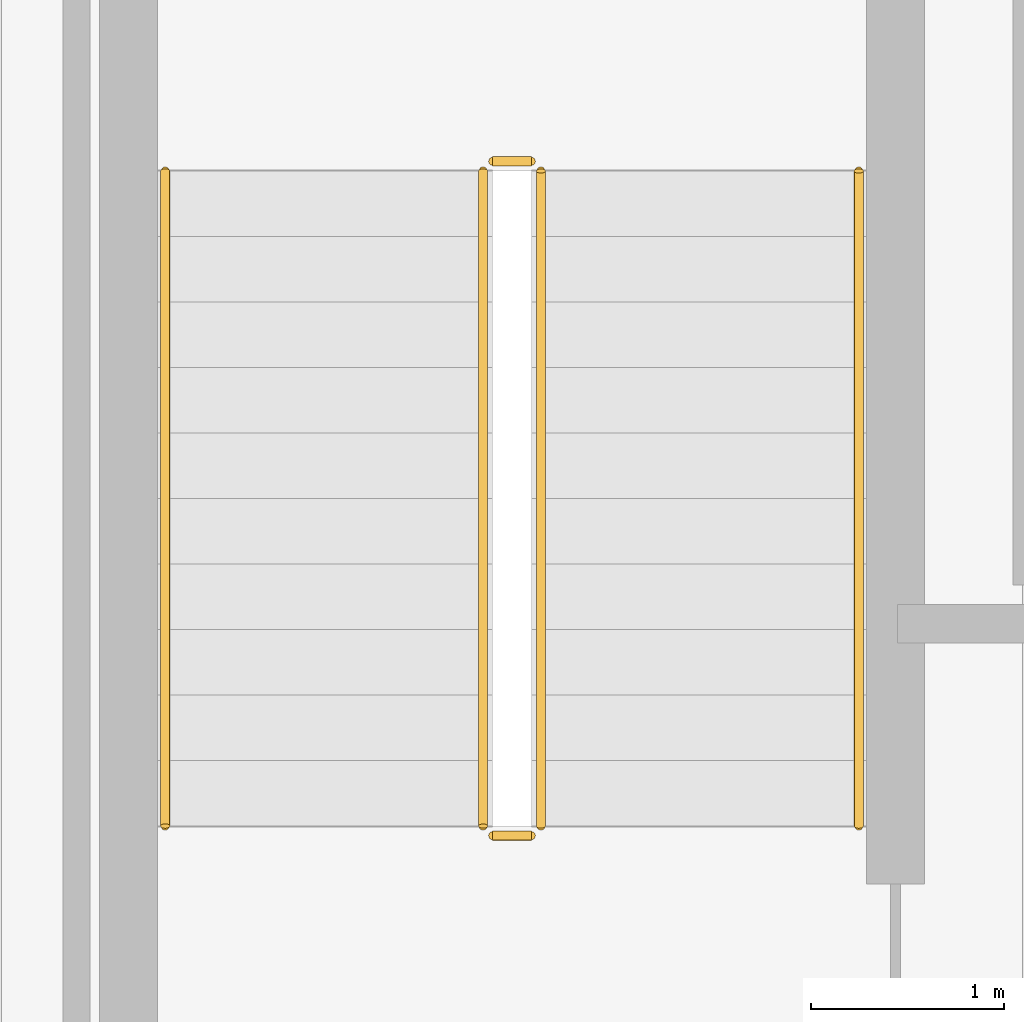
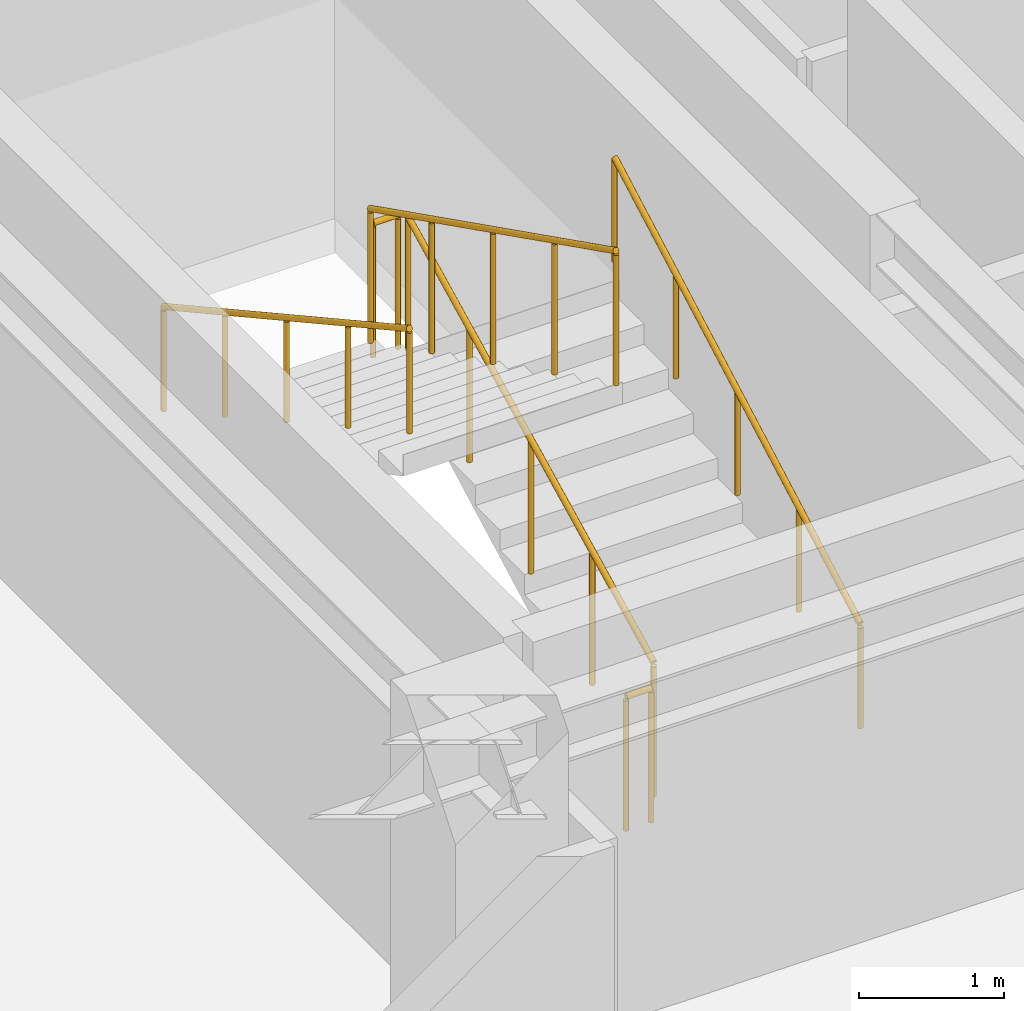
# One storey, part 30 of 31: 6 railings.
"""IFC4 building model written with IfcOpenShell, lengths in metres."""

from ifc_helpers import new_model, si_unit, direction, frame, origin, origin_2d, place, context, subcontext, project, spatial, circle, extrude, material, type_object, element, save


model = new_model("IFC4")

# Units and contexts
model_context = context("Model", 3, precision=1e-05, world=origin(), true_north=direction((0.0, 1.0)))
body_context = subcontext(model_context, "Body", "Model", "MODEL_VIEW")
ifc_project = project(units=[si_unit("LENGTHUNIT", "METRE"), si_unit("AREAUNIT", "SQUARE_METRE"), si_unit("VOLUMEUNIT", "CUBIC_METRE"), si_unit("PLANEANGLEUNIT", "RADIAN"), si_unit("MASSUNIT", "GRAM", prefix="KILO")], contexts=[model_context])

# Site, building, storey
site_placement = place(None, origin())
site = spatial("IfcSite", under=ifc_project, at=site_placement, CompositionType="ELEMENT")
building_placement = place(site_placement, origin())
building = spatial("IfcBuilding", under=site, at=building_placement, Name="Nahalor Promenade Grand Hotel", CompositionType="ELEMENT")
storey_placement = place(building_placement, frame((0.0, 0.0, 277.550048828125)))
storey = spatial("IfcBuildingStorey", under=building, at=storey_placement, Name="L71", CompositionType="ELEMENT", Elevation=277.550048828125)

# Railings
ifc_material = material(Name="Steel S355JR", Category="steel")
railing_type_1 = type_object("IfcRailingType", Name="Steel Stair Guardrail 1150 mm", PredefinedType="GUARDRAIL", material=ifc_material)
railing_1_placement = place(storey_placement, frame((5.75, 8.10009765625, 0.17041015625)))
element("IfcRailing", 1, at=railing_1_placement, inside=storey, type_object=railing_type_1, Name="L71 ST1 stair guard 1", PredefinedType="GUARDRAIL", context=body_context, shape_type="SweptSolid", body=[
    extrude(circle(Radius=0.024048, at=origin_2d()), frame((0.0, 0.0, 1.1259765625), z_axis=(0.0, 0.89393879905, 0.448189048899), x_axis=(-1.0, 0.0, 0.0)), (0.0, 0.0, 1.0), 3.80322265625),
    extrude(circle(Radius=0.020996, at=origin_2d()), origin(), (0.0, 0.0, 1.0), 1.099853515625),
    extrude(circle(Radius=0.020996, at=origin_2d()), frame((0.0, 0.85009765625, 0.42626953125)), (0.0, 0.0, 1.0), 1.099853515625),
    extrude(circle(Radius=0.020996, at=origin_2d()), frame((0.0, 1.699951171875, 0.852294921875)), (0.0, 0.0, 1.0), 1.099853515625),
    extrude(circle(Radius=0.020996, at=origin_2d()), frame((0.0, 2.5498046875, 1.2783203125)), (0.0, 0.0, 1.0), 1.099853515625),
    extrude(circle(Radius=0.020996, at=origin_2d()), frame((0.0, 3.39990234375, 1.70458984375)), (0.0, 0.0, 1.0), 1.099853515625),
])
railing_2_placement = place(storey_placement, frame((5.699951171875, 11.550048828125, 1.875)))
element("IfcRailing", 2, at=railing_2_placement, inside=storey, type_object=railing_type_1, Name="L71 ST1 stair guard 2", PredefinedType="GUARDRAIL", context=body_context, shape_type="SweptSolid", body=[
    extrude(circle(Radius=0.024048, at=origin_2d()), frame((0.0, 0.0, 1.1259765625), z_axis=(-1.0, 0.0, 0.0), x_axis=(0.0, -1.0, 0.0)), (0.0, 0.0, 1.0), 0.199951171875),
    extrude(circle(Radius=0.020996, at=origin_2d()), origin(), (0.0, 0.0, 1.0), 1.099853515625),
    extrude(circle(Radius=0.020996, at=origin_2d()), frame((-0.199951171875, 0.0, 0.0)), (0.0, 0.0, 1.0), 1.099853515625),
])
railing_3_placement = place(storey_placement, frame((5.449951171875, 11.5, 2.04541015625)))
element("IfcRailing", 3, at=railing_3_placement, inside=storey, type_object=railing_type_1, Name="L71 ST1 stair guard 3", PredefinedType="GUARDRAIL", context=body_context, shape_type="SweptSolid", body=[
    extrude(circle(Radius=0.024048, at=origin_2d()), frame((0.0, 0.0, 1.1259765625), z_axis=(0.0, -0.89393879905, 0.448189048899), x_axis=(1.0, 0.0, 0.0)), (0.0, 0.0, 1.0), 3.80322265625),
    extrude(circle(Radius=0.020996, at=origin_2d()), origin(), (0.0, 0.0, 1.0), 1.099853515625),
    extrude(circle(Radius=0.020996, at=origin_2d()), frame((0.0, -0.85009765625, 0.42626953125)), (0.0, 0.0, 1.0), 1.099853515625),
    extrude(circle(Radius=0.020996, at=origin_2d()), frame((0.0, -1.699951171875, 0.852294921875)), (0.0, 0.0, 1.0), 1.099853515625),
    extrude(circle(Radius=0.020996, at=origin_2d()), frame((0.0, -2.5498046875, 1.2783203125)), (0.0, 0.0, 1.0), 1.099853515625),
    extrude(circle(Radius=0.020996, at=origin_2d()), frame((0.0, -3.39990234375, 1.70458984375)), (0.0, 0.0, 1.0), 1.099853515625),
])
railing_4_placement = place(storey_placement, frame((5.699951171875, 8.050048828125, 0.0)))
element("IfcRailing", 4, at=railing_4_placement, inside=storey, type_object=railing_type_1, Name="L71 ST1 stair guard 4", PredefinedType="GUARDRAIL", context=body_context, shape_type="SweptSolid", body=[
    extrude(circle(Radius=0.024048, at=origin_2d()), frame((0.0, 0.0, 1.1259765625), z_axis=(-1.0, 0.0, 0.0), x_axis=(0.0, -1.0, 0.0)), (0.0, 0.0, 1.0), 0.199951171875),
    extrude(circle(Radius=0.020996, at=origin_2d()), origin(), (0.0, 0.0, 1.0), 1.099853515625),
    extrude(circle(Radius=0.020996, at=origin_2d()), frame((-0.199951171875, 0.0, 0.0)), (0.0, 0.0, 1.0), 1.099853515625),
])
railing_type_2 = type_object("IfcRailingType", Name="Steel Stair Handrail 900 mm", PredefinedType="HANDRAIL", material=ifc_material)
railing_5_placement = place(storey_placement, frame((7.39990234375, 8.10009765625, 0.17041015625)))
element("IfcRailing", 5, at=railing_5_placement, inside=storey, type_object=railing_type_2, Name="L71 ST1 stair handrail 1", PredefinedType="HANDRAIL", context=body_context, shape_type="SweptSolid", body=[
    extrude(circle(Radius=0.024048, at=origin_2d()), frame((0.0, 0.0, 0.8759765625), z_axis=(0.0, 0.875665712831, 0.482917756322), x_axis=(-1.0, 0.0, 0.0)), (0.0, 0.0, 1.0), 3.882568359375),
    extrude(circle(Radius=0.020996, at=origin_2d()), origin(), (0.0, 0.0, 1.0), 0.849853515625),
    extrude(circle(Radius=0.020996, at=origin_2d()), frame((0.0, 0.85009765625, 0.46875)), (0.0, 0.0, 1.0), 0.849853515625),
    extrude(circle(Radius=0.020996, at=origin_2d()), frame((0.0, 1.699951171875, 0.9375)), (0.0, 0.0, 1.0), 0.849853515625),
    extrude(circle(Radius=0.020996, at=origin_2d()), frame((0.0, 2.5498046875, 1.40625)), (0.0, 0.0, 1.0), 0.849853515625),
    extrude(circle(Radius=0.020996, at=origin_2d()), frame((0.0, 3.39990234375, 1.875)), (0.0, 0.0, 1.0), 0.849853515625),
])
railing_6_placement = place(storey_placement, frame((3.800048828125, 11.5, 2.04541015625)))
element("IfcRailing", 6, at=railing_6_placement, inside=storey, type_object=railing_type_2, Name="L71 ST1 stair handrail 2", PredefinedType="HANDRAIL", context=body_context, shape_type="SweptSolid", body=[
    extrude(circle(Radius=0.024048, at=origin_2d()), frame((0.0, 0.0, 0.8759765625), z_axis=(0.0, -0.875665712831, 0.482917756322), x_axis=(1.0, 0.0, 0.0)), (0.0, 0.0, 1.0), 3.882568359375),
    extrude(circle(Radius=0.020996, at=origin_2d()), origin(), (0.0, 0.0, 1.0), 0.849853515625),
    extrude(circle(Radius=0.020996, at=origin_2d()), frame((0.0, -0.85009765625, 0.46875)), (0.0, 0.0, 1.0), 0.849853515625),
    extrude(circle(Radius=0.020996, at=origin_2d()), frame((0.0, -1.699951171875, 0.9375)), (0.0, 0.0, 1.0), 0.849853515625),
    extrude(circle(Radius=0.020996, at=origin_2d()), frame((0.0, -2.5498046875, 1.40625)), (0.0, 0.0, 1.0), 0.849853515625),
    extrude(circle(Radius=0.020996, at=origin_2d()), frame((0.0, -3.39990234375, 1.875)), (0.0, 0.0, 1.0), 0.849853515625),
])

save(model, "model.ifc")
